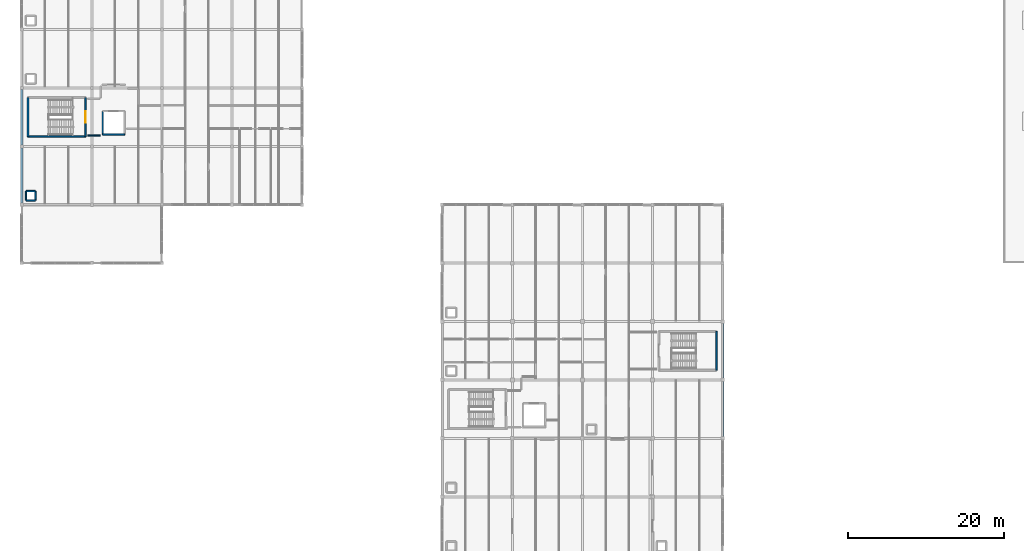
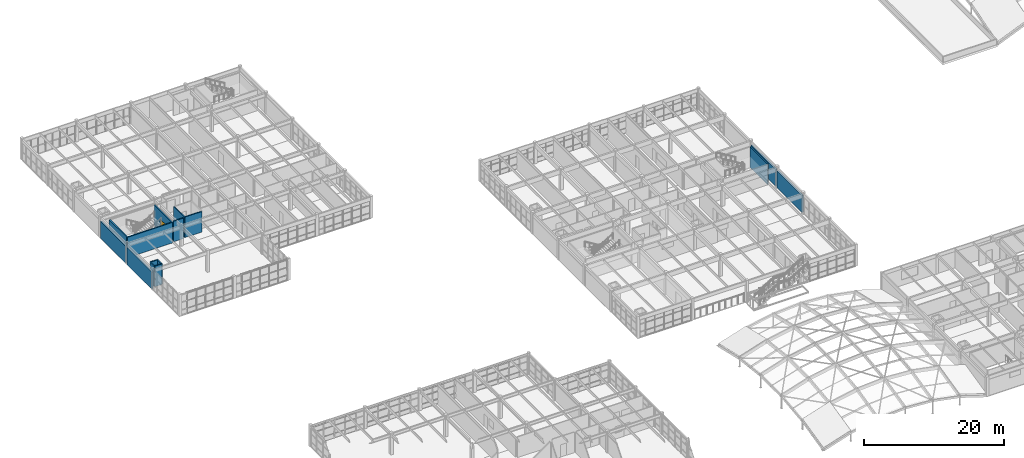
# One storey, part 75 of 81: 15 walls, 1 door, 1 opening.
"""IFC4 building model written with IfcOpenShell, lengths in metres."""

import ifcopenshell
import ifcopenshell.guid

model = None  # the IFC model being written
_history = None  # IfcOwnerHistory: only IFC2X3 demands one
_inside = {}  # id of a spatial element -> (the spatial element, [elements in it])
_under = {}  # id of a project, library or spatial element -> (it, [spatial elements below it])
_declared = {}  # id of a project -> (the project, [libraries it declares])
_typed = {}  # id of a type object -> (the type object, [elements of that type])
_made_of = {}  # id of a material, layer set ... -> (it, [elements and type objects made of it])


def new_model(schema):
    """Start an empty IFC model of exactly this schema.

    Asked for "IFC4X3", IfcOpenShell would pick the latest addendum, in which some entities
    have other attributes; the version numbers below select the first issue.
    IFC2X3 requires an IfcOwnerHistory on every rooted entity: one is made here for all.
    """
    global model, _history
    if schema == "IFC4X3":
        model = ifcopenshell.file(schema_version=(4, 3, 0, 0))
    else:
        model = ifcopenshell.file(schema=schema)
    _inside.clear()
    _under.clear()
    _declared.clear()
    _typed.clear()
    _made_of.clear()
    _history = None
    if model.schema == "IFC2X3":
        org = make("IfcOrganization", Name="unknown")
        user = make(
            "IfcPersonAndOrganization",
            ThePerson=make("IfcPerson", FamilyName="unknown"),
            TheOrganization=org,
        )
        app = make(
            "IfcApplication",
            ApplicationDeveloper=org,
            Version="unknown",
            ApplicationFullName="unknown",
            ApplicationIdentifier="unknown",
        )
        _history = make(
            "IfcOwnerHistory",
            OwningUser=user,
            OwningApplication=app,
            ChangeAction="ADDED",
            CreationDate=0,
        )
    return model


def make(cls, **values):
    """One entity of the class cls with the attributes given. An attribute that is None is left unset."""
    return model.create_entity(
        cls, **{name: value for name, value in values.items() if value is not None}
    )


def rooted(cls, **values):
    """An entity with a GlobalId (a new one), such as an element, a storey or a relation."""
    return make(cls, GlobalId=ifcopenshell.guid.new(), OwnerHistory=_history, **values)


def si_unit(unit_type, name, prefix=None):
    """IfcSIUnit, for example si_unit("LENGTHUNIT", "METRE", prefix="MILLI")."""
    return make("IfcSIUnit", UnitType=unit_type, Prefix=prefix, Name=name)


def assignment(units):
    """IfcUnitAssignment: the units of a project."""
    return None if units is None else make("IfcUnitAssignment", Units=units)


def point(xyz):
    """IfcCartesianPoint."""
    return None if xyz is None else make("IfcCartesianPoint", Coordinates=xyz)


def direction(xyz):
    """IfcDirection."""
    return None if xyz is None else make("IfcDirection", DirectionRatios=xyz)


def frame(location, z_axis=None, x_axis=None):
    """IfcAxis2Placement3D, a coordinate frame: its origin and axes. An axis left out is left unset."""
    return make(
        "IfcAxis2Placement3D",
        Location=point(location),
        Axis=direction(z_axis),
        RefDirection=direction(x_axis),
    )


def frame_2d(location, x_axis=None):
    """IfcAxis2Placement2D, a coordinate frame in the plane: its origin and x axis."""
    return make(
        "IfcAxis2Placement2D", Location=point(location), RefDirection=direction(x_axis)
    )


def origin():
    """The frame at (0, 0, 0) with its axes left unset."""
    return frame((0.0, 0.0, 0.0))


def place(relative_to, where):
    """IfcLocalPlacement: puts the frame where relative to a parent placement (None: the world)."""
    return make(
        "IfcLocalPlacement", PlacementRelTo=relative_to, RelativePlacement=where
    )


def context(
    kind, dimensions, precision=None, world=None, true_north=None, identifier=None
):
    """IfcGeometricRepresentationContext, for example the 3D "Model" context."""
    return make(
        "IfcGeometricRepresentationContext",
        ContextIdentifier=identifier,
        ContextType=kind,
        CoordinateSpaceDimension=dimensions,
        Precision=precision,
        WorldCoordinateSystem=world,
        TrueNorth=true_north,
    )


def subcontext(parent, identifier, kind, view, scale=None):
    """IfcGeometricRepresentationSubContext, for example "Body" below "Model"."""
    return make(
        "IfcGeometricRepresentationSubContext",
        ContextIdentifier=identifier,
        ContextType=kind,
        ParentContext=parent,
        TargetScale=scale,
        TargetView=view,
    )


def project(units=None, contexts=None):
    """IfcProject with its units and contexts."""
    return rooted(
        "IfcProject",
        Name="project",
        RepresentationContexts=contexts,
        UnitsInContext=assignment(units),
    )


def spatial(cls, under=None, at=None, **own):
    """A site, building, storey or space (cls), placed at a placement, below another one or the project."""
    s = rooted(cls, ObjectPlacement=at, **own)
    if under is not None:
        _under.setdefault(under.id(), (under, []))[1].append(s)
    return s


def profile(cls, at=None, kind="AREA", **sizes):
    """A parametric profile (cls). Its sizes go by their IFC names, for example OverallWidth=200.0."""
    return make(cls, ProfileType=kind, Position=at, **sizes)


def rectangle(**sizes):
    """IfcRectangleProfileDef."""
    return profile("IfcRectangleProfileDef", **sizes)


def extrude(swept, where, along, depth):
    """IfcExtrudedAreaSolid: the profile swept, set in the frame where, extruded along a direction by depth."""
    return make(
        "IfcExtrudedAreaSolid",
        SweptArea=swept,
        Position=where,
        ExtrudedDirection=direction(along),
        Depth=depth,
    )


def shape(context_of_items, identifier, shape_type, items):
    """IfcShapeRepresentation: the items that make up one representation, for example the "Body"."""
    return make(
        "IfcShapeRepresentation",
        ContextOfItems=context_of_items,
        RepresentationIdentifier=identifier,
        RepresentationType=shape_type,
        Items=items,
    )


def material(Name=None, Category=None):
    """IfcMaterial."""
    return make("IfcMaterial", Name=Name, Category=Category)


def layer(
    of_material, thickness, ventilated=None, Name=None, Category=None, Priority=None
):
    """IfcMaterialLayer: one layer of a wall or slab, of a material (None: an air gap)."""
    return make(
        "IfcMaterialLayer",
        Material=of_material,
        LayerThickness=thickness,
        IsVentilated=ventilated,
        Name=Name,
        Category=Category,
        Priority=Priority,
    )


def layer_set(layers, Name=None):
    """IfcMaterialLayerSet."""
    return make("IfcMaterialLayerSet", MaterialLayers=layers, LayerSetName=Name)


def made_of(thing, what):
    """Note that an element or type object is made of a material, layer set ...; save() writes the relation."""
    if what is not None:
        _made_of.setdefault(what.id(), (what, []))[1].append(thing)
    return thing


def type_object(cls, material=None, **own):
    """A type object (cls), such as IfcWallType, which elements share."""
    return made_of(rooted(cls, **own), material)


def element(
    cls,
    number,
    at=None,
    inside=None,
    cuts=None,
    type_object=None,
    material=None,
    context=None,
    identifier="Body",
    shape_type=None,
    held_by="IfcProductDefinitionShape",
    body=None,
    shapes=None,
    **own,
):
    """One element of the class cls, such as IfcWall. Its Tag is "e" and its number.

    at: its placement. inside: the storey or other place that contains it. cuts: it is an
    opening in that element (IfcRelVoidsElement). A single representation is given by context,
    identifier, shape_type and body (its items); several are given by shapes. held_by: the class
    of the entity that holds the representations. save() writes the other relations.
    """
    e = rooted(cls, Tag="e%d" % number, ObjectPlacement=at, **own)
    if body is not None:
        shapes = [shape(context, identifier, shape_type, body)]
    if shapes is not None:
        e.Representation = make(held_by, Representations=shapes)
    if inside is not None:
        _inside.setdefault(inside.id(), (inside, []))[1].append(e)
    if cuts is not None:
        rooted(
            "IfcRelVoidsElement", RelatingBuildingElement=cuts, RelatedOpeningElement=e
        )
    if type_object is not None:
        _typed.setdefault(type_object.id(), (type_object, []))[1].append(e)
    return made_of(e, material)


def fill(opening, filler):
    """IfcRelFillsElement: the door or window that sits in an opening."""
    return rooted(
        "IfcRelFillsElement",
        RelatingOpeningElement=opening,
        RelatedBuildingElement=filler,
    )


def aggregate(whole, parts):
    """IfcRelAggregates: a whole, such as a stair, and the parts it consists of."""
    return rooted("IfcRelAggregates", RelatingObject=whole, RelatedObjects=parts)


def save(model, path):
    """Write the relations noted so far, then the file.

    IfcRelAggregates (storeys below a building ...), IfcRelContainedInSpatialStructure (elements
    in a storey), IfcRelDefinesByType, IfcRelAssociatesMaterial and IfcRelDeclares: one each for
    every whole, place, type object, material and project.
    """
    for whole, parts in _under.values():
        aggregate(whole, parts)
    for where, things in _inside.values():
        rooted(
            "IfcRelContainedInSpatialStructure",
            RelatedElements=things,
            RelatingStructure=where,
        )
    for kind, things in _typed.values():
        rooted("IfcRelDefinesByType", RelatedObjects=things, RelatingType=kind)
    for what, things in _made_of.values():
        rooted("IfcRelAssociatesMaterial", RelatedObjects=things, RelatingMaterial=what)
    for by, libraries in _declared.values():
        rooted("IfcRelDeclares", RelatingContext=by, RelatedDefinitions=libraries)
    model.write(path)


model = new_model("IFC4")

# Units and contexts
model_context = context("Model", 3, precision=1e-05, world=origin(), true_north=direction((0.0, 1.0)))
body_context = subcontext(model_context, "Body", "Model", "MODEL_VIEW")
ifc_project = project(units=[si_unit("LENGTHUNIT", "METRE"), si_unit("AREAUNIT", "SQUARE_METRE"), si_unit("VOLUMEUNIT", "CUBIC_METRE"), si_unit("PLANEANGLEUNIT", "RADIAN"), si_unit("MASSUNIT", "GRAM", prefix="KILO")], contexts=[model_context])

# Site, building, storey
site_placement = place(None, origin())
site = spatial("IfcSite", under=ifc_project, at=site_placement, CompositionType="ELEMENT")
building_placement = place(site_placement, origin())
building = spatial("IfcBuilding", under=site, at=building_placement, Name="Marnridge Secondary College", CompositionType="ELEMENT")
storey_placement = place(building_placement, frame((0.0, 0.0, 8.5)))
storey = spatial("IfcBuildingStorey", under=building, at=storey_placement, Name="L02", CompositionType="ELEMENT", Elevation=8.5)

# Walls
ifc_material_1 = material(Name="Concrete C40/50 (AS 3600 N40, 40 MPa)", Category="concrete")
ifc_layer_1 = layer(ifc_material_1, 0.199951171875)
ifc_layer_set_1 = layer_set([ifc_layer_1], Name="WT-CORE-RC200")
wall_type_1 = type_object("IfcWallType", Name="WT-CORE-RC200", PredefinedType="SHEAR", material=ifc_layer_set_1)
wall_1_placement = place(storey_placement, frame((89.199951171875, 61.25, 0.0), z_axis=(0.0, 0.0, 1.0), x_axis=(0.0, 1.0, 0.0)))
element("IfcWall", 1, at=wall_1_placement, inside=storey, type_object=wall_type_1, Name="Stair core shear wall WC-L02-0282", PredefinedType="SHEAR", context=body_context, shape_type="SweptSolid", body=[
    extrude(rectangle(XDim=5.0, YDim=0.199951171875, at=frame_2d((2.5, 0.0))), origin(), (0.0, 0.0, 1.0), 3.570068359375),
])
wall_2_placement = place(storey_placement, frame((0.800048828125, 91.25, 0.0), z_axis=(0.0, 0.0, 1.0), x_axis=(1.0, 0.0, 0.0)))
element("IfcWall", 2, at=wall_2_placement, inside=storey, type_object=wall_type_1, Name="Stair core shear wall WC-L02-0345", PredefinedType="SHEAR", context=body_context, shape_type="SweptSolid", body=[
    extrude(rectangle(XDim=7.39990234375, YDim=0.199951171875, at=frame_2d((3.699951171875, 0.0))), origin(), (0.0, 0.0, 1.0), 3.580078125),
])

# Wall, opening, door
wall_3_placement = place(storey_placement, frame((8.199951171875, 91.25, 0.0), z_axis=(0.0, 0.0, 1.0), x_axis=(0.0, 1.0, 0.0)))
wall_3 = element("IfcWall", 3, at=wall_3_placement, inside=storey, type_object=wall_type_1, Name="Stair core shear wall WC-L02-0346", PredefinedType="SHEAR", context=body_context, shape_type="SweptSolid", body=[
    extrude(rectangle(XDim=5.0, YDim=0.199951171875, at=frame_2d((2.5, 0.0))), origin(), (0.0, 0.0, 1.0), 3.580078125),
])
opening_placement = place(wall_3_placement, frame((1.75, 0.0, 0.0)))
opening = element("IfcOpeningElement", 4, at=opening_placement, cuts=wall_3, Name="Opening DC-L02-025", PredefinedType="OPENING", context=body_context, shape_type="SweptSolid", body=[
    extrude(rectangle(XDim=1.5, YDim=2.14990234375, at=frame_2d((0.75, 1.074951171875))), frame((0.0, 0.10986328125, 0.0), z_axis=(0.0, -1.0, 0.0), x_axis=(1.0, 0.0, 0.0)), (0.0, 0.0, 1.0), 0.219970703125),
])
ifc_material_2 = material(Name="Fire-rated solid-core timber doorset", Category="wood")
door_type = type_object("IfcDoorType", Name="DT-CORE-FD150", OperationType="DOUBLE_DOOR_SINGLE_SWING", PredefinedType="DOOR", material=ifc_material_2)
door_placement = place(opening_placement, origin())
door = element("IfcDoor", 5, at=door_placement, inside=storey, type_object=door_type, Name="Fire stair door DC-L02-025", OperationType="DOUBLE_DOOR_SINGLE_SWING", OverallHeight=2.14990234375, OverallWidth=1.5, PredefinedType="DOOR", context=body_context, shape_type="SweptSolid", body=[
    extrude(rectangle(XDim=1.5, YDim=2.14990234375, at=frame_2d((0.75, 1.074951171875))), frame((0.0, 0.02490234375, 0.0), z_axis=(0.0, -1.0, 0.0), x_axis=(1.0, 0.0, 0.0)), (0.0, 0.0, 1.0), 0.050048828125),
])
fill(opening, door)

# Walls
wall_4_placement = place(storey_placement, frame((0.800048828125, 96.25, 0.0), z_axis=(0.0, 0.0, 1.0), x_axis=(0.0, -1.0, 0.0)))
element("IfcWall", 6, at=wall_4_placement, inside=storey, type_object=wall_type_1, Name="Stair core shear wall WC-L02-0348", PredefinedType="SHEAR", context=body_context, shape_type="SweptSolid", body=[
    extrude(rectangle(XDim=5.0, YDim=0.199951171875, at=frame_2d((2.5, 0.0))), origin(), (0.0, 0.0, 1.0), 3.580078125),
])
ifc_material_3 = material(Name="Cross-laminated timber CL5", Category="wood")
ifc_layer_2 = layer(ifc_material_3, 0.239990234375)
ifc_layer_set_2 = layer_set([ifc_layer_2], Name="WT-EXT-CLT240")
wall_type_2 = type_object("IfcWallType", Name="WT-EXT-CLT240", PredefinedType="SOLIDWALL", material=ifc_layer_set_2)
for number, where, z_axis, x_axis, name in (
    (7, (90.0, 67.279052734375, 0.0), (0.0, 0.0, 1.0), (0.0, -1.0, 0.0), "Exterior wall WE-L02-0128"),
    (8, (90.0, 59.779052734375, 0.0), (0.0, 0.0, 1.0), (0.0, -1.0, 0.0), "Exterior wall WE-L02-0129"),
):
    element("IfcWall", number, at=place(storey_placement, frame(where, z_axis=z_axis, x_axis=x_axis)), inside=storey, type_object=wall_type_2, Name=name, PredefinedType="SOLIDWALL", context=body_context, shape_type="SweptSolid", body=[
        extrude(rectangle(XDim=7.05810546875, YDim=0.239990234375, at=frame_2d((3.529052734375, 0.0))), origin(), (0.0, 0.0, 1.0), 2.97705078125),
    ])
ifc_material_4 = material(Name="Precast concrete C40/50 (AS 3600 N40, 40 MPa)", Category="concrete")
ifc_layer_3 = layer(ifc_material_4, 0.260009765625)
ifc_layer_set_3 = layer_set([ifc_layer_3], Name="WT-EXT-PC260")
wall_type_3 = type_object("IfcWallType", Name="WT-EXT-PC260", PredefinedType="SOLIDWALL", material=ifc_layer_set_3)
for number, where, z_axis, x_axis, name in (
    (9, (0.0, 82.696044921875, 0.0), (0.0, 0.0, 1.0), (0.0, 1.0, 0.0), "Exterior wall WE-L02-0155"),
    (10, (0.0, 90.196044921875, 0.0), (0.0, 0.0, 1.0), (0.0, 1.0, 0.0), "Exterior wall WE-L02-0156"),
):
    element("IfcWall", number, at=place(storey_placement, frame(where, z_axis=z_axis, x_axis=x_axis)), inside=storey, type_object=wall_type_3, Name=name, PredefinedType="SOLIDWALL", context=body_context, shape_type="SweptSolid", body=[
        extrude(rectangle(XDim=7.10791015625, YDim=0.260009765625, at=frame_2d((3.553955078125, 0.0))), origin(), (0.0, 0.0, 1.0), 2.987060546875),
    ])
ifc_material_5 = material(Name="Acoustic plasterboard on steel Grade 350 framing Rw50", Category="steel")
ifc_layer_4 = layer(ifc_material_5, 0.14990234375)
ifc_layer_set_4 = layer_set([ifc_layer_4], Name="WT-PART-AC150")
wall_type_4 = type_object("IfcWallType", Name="WT-PART-AC150", PredefinedType="PARTITIONING", material=ifc_layer_set_4)
wall_5_placement = place(storey_placement, frame((10.10009765625, 91.39990234375, 0.0), z_axis=(0.0, 0.0, 1.0), x_axis=(-1.0, 0.0, 0.0)))
element("IfcWall", 11, at=wall_5_placement, inside=storey, type_object=wall_type_4, Name="Interior partition WP-L02-0279", PredefinedType="PARTITIONING", context=body_context, shape_type="SweptSolid", body=[
    extrude(rectangle(XDim=1.60009765625, YDim=0.14990234375, at=frame_2d((0.800048828125, 0.0))), origin(), (0.0, 0.0, 1.0), 3.580078125),
])
ifc_material_6 = material(Name="Concrete C40/50 (AS 3600 N40, 40 MPa)", Category="concrete")
ifc_layer_5 = layer(ifc_material_6, 0.179931640625)
ifc_layer_set_5 = layer_set([ifc_layer_5], Name="WT-SHAFT-RC180")
wall_type_5 = type_object("IfcWallType", Name="WT-SHAFT-RC180", PredefinedType="SHEAR", material=ifc_layer_set_5)
for number, where, z_axis, x_axis, name in (
    (12, (1.75, 83.050048828125, 0.0), (0.0, 0.0, 1.0), (-1.0, 0.0, 0.0), "Service riser shaft wall WR-L02-0149"),
    (13, (0.550048828125, 83.050048828125, 0.0), (0.0, 0.0, 1.0), (0.0, 1.0, 0.0), "Service riser shaft wall WR-L02-0150"),
    (14, (0.550048828125, 84.25, 0.0), (0.0, 0.0, 1.0), (1.0, 0.0, 0.0), "Service riser shaft wall WR-L02-0151"),
    (15, (1.75, 84.25, 0.0), (0.0, 0.0, 1.0), (0.0, -1.0, 0.0), "Service riser shaft wall WR-L02-0152"),
):
    element("IfcWall", number, at=place(storey_placement, frame(where, z_axis=z_axis, x_axis=x_axis)), inside=storey, type_object=wall_type_5, Name=name, PredefinedType="SHEAR", context=body_context, shape_type="SweptSolid", body=[
        extrude(rectangle(XDim=1.199951171875, YDim=0.179931640625, at=frame_2d((0.60009765625, 0.0))), origin(), (0.0, 0.0, 1.0), 3.580078125),
    ])
wall_6_placement = place(storey_placement, frame((13.199951171875, 91.5, 0.0), z_axis=(0.0, 0.0, 1.0), x_axis=(-1.0, 0.0, 0.0)))
element("IfcWall", 16, at=wall_6_placement, inside=storey, type_object=wall_type_5, Name="Lift shaft wall WL-L02-0461", PredefinedType="SHEAR", context=body_context, shape_type="SweptSolid", body=[
    extrude(rectangle(XDim=2.800048828125, YDim=0.179931640625, at=frame_2d((1.39990234375, 0.0))), origin(), (0.0, 0.0, 1.0), 3.580078125),
])
wall_7_placement = place(storey_placement, frame((10.39990234375, 91.5, 0.0), z_axis=(0.0, 0.0, 1.0), x_axis=(0.0, 1.0, 0.0)))
element("IfcWall", 17, at=wall_7_placement, inside=storey, type_object=wall_type_5, Name="Lift shaft wall WL-L02-0462", PredefinedType="SHEAR", context=body_context, shape_type="SweptSolid", body=[
    extrude(rectangle(XDim=3.0, YDim=0.179931640625, at=frame_2d((1.5, 0.0))), origin(), (0.0, 0.0, 1.0), 3.580078125),
])

save(model, "model.ifc")
